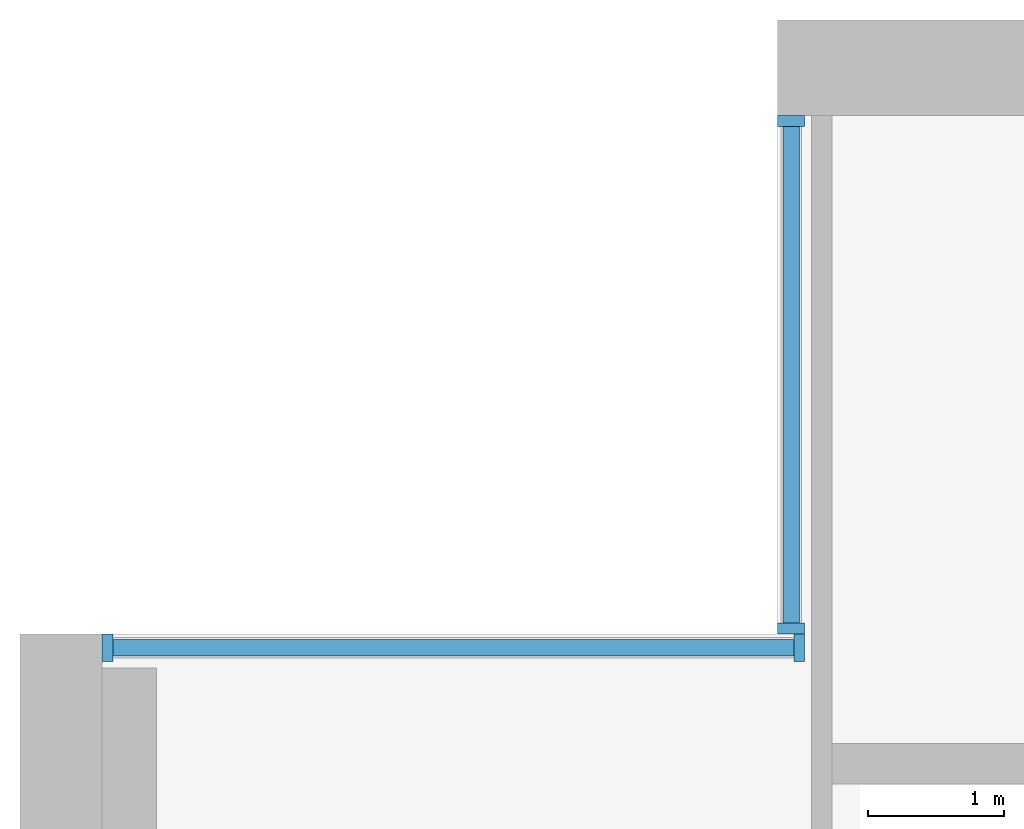
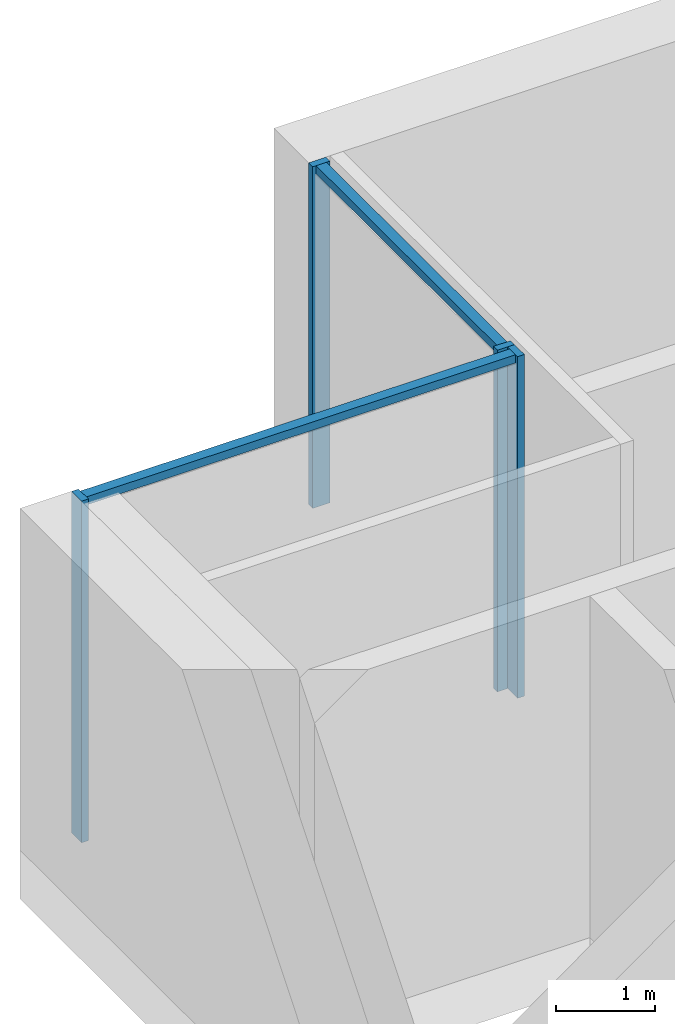
# One storey, part 4 of 13: 6 members, 2 elements without a shape of their own.
"""IFC4 building model written with IfcOpenShell, lengths in metres."""

from ifc_helpers import new_model, si_unit, direction, frame, origin, origin_2d, place, context, subcontext, project, spatial, rectangle, extrude, material, material_profile, profile_set, type_object, element, aggregate, save


model = new_model("IFC4")

# Units and contexts
model_context = context("Model", 3, precision=1e-05, world=origin(), true_north=direction((0.0, 1.0)))
body_context = subcontext(model_context, "Body", "Model", "MODEL_VIEW")
ifc_project = project(units=[si_unit("LENGTHUNIT", "METRE"), si_unit("AREAUNIT", "SQUARE_METRE"), si_unit("VOLUMEUNIT", "CUBIC_METRE"), si_unit("PLANEANGLEUNIT", "RADIAN"), si_unit("MASSUNIT", "GRAM", prefix="KILO")], contexts=[model_context])

# Site, building, storey
site_placement = place(None, origin())
site = spatial("IfcSite", under=ifc_project, at=site_placement, CompositionType="ELEMENT")
building_placement = place(site_placement, origin())
building = spatial("IfcBuilding", under=site, at=building_placement, Name="Calvaro Tower", CompositionType="ELEMENT")
storey_placement = place(building_placement, frame((0.0, 0.0, 226.75)))
storey = spatial("IfcBuildingStorey", under=building, at=storey_placement, Name="L57", CompositionType="ELEMENT", Elevation=226.75)

# Curtain wall, members
ifc_material_1 = material(Name="Anodised aluminium", Category="aluminium")
curtain_wall_type = type_object("IfcCurtainWallType", Name="Louvre wall", PredefinedType="NOTDEFINED", material=ifc_material_1)
curtain_wall_1_placement = place(storey_placement, origin())
curtain_wall_1 = element("IfcCurtainWall", 1, at=curtain_wall_1_placement, inside=storey, type_object=curtain_wall_type, Name="CW8 corner curtain wall", PredefinedType="NOTDEFINED")
ifc_material_2 = material(Name="Anodised aluminium", Category="aluminium")
ifc_material_profile_1 = material_profile(ifc_material_2, rectangle(XDim=0.199951171875, YDim=0.080078125, at=origin_2d()), Name="Mullion LV 80 x 200")
ifc_profile_set_1 = profile_set([ifc_material_profile_1], Name="Anodised aluminium")
member_type_1 = type_object("IfcMemberType", Name="Mullion LV 80 x 200", PredefinedType="MULLION", material=ifc_profile_set_1)
member_1_placement = place(storey_placement, frame((11.64990234375, 41.5400390625, 0.0), z_axis=(0.0, 0.0, 1.0), x_axis=(-1.0, 0.0, 0.0)))
member_1 = element("IfcMember", 2, at=member_1_placement, type_object=member_type_1, Name="CW8 mullion 1", PredefinedType="MULLION", context=body_context, shape_type="SweptSolid", body=[
    extrude(rectangle(XDim=0.199951171875, YDim=0.080078125, at=origin_2d()), origin(), (0.0, 0.0, 1.0), 4.199951171875),
])
member_2_placement = place(storey_placement, frame((11.64990234375, 45.260009765625, 0.0), z_axis=(0.0, 0.0, 1.0), x_axis=(-1.0, 0.0, 0.0)))
member_2 = element("IfcMember", 3, at=member_2_placement, type_object=member_type_1, Name="CW8 mullion 2", PredefinedType="MULLION", context=body_context, shape_type="SweptSolid", body=[
    extrude(rectangle(XDim=0.199951171875, YDim=0.080078125, at=origin_2d()), origin(), (0.0, 0.0, 1.0), 4.199951171875),
])

curtain_wall_2_placement = place(storey_placement, origin())
curtain_wall_2 = element("IfcCurtainWall", 4, at=curtain_wall_2_placement, inside=storey, type_object=curtain_wall_type, Name="CW8 corner curtain wall", PredefinedType="NOTDEFINED")
member_3_placement = place(storey_placement, frame((6.639892578125, 41.39990234375, 0.0), z_axis=(0.0, 0.0, 1.0), x_axis=(0.0, 1.0, 0.0)))
member_3 = element("IfcMember", 5, at=member_3_placement, type_object=member_type_1, Name="CW8 mullion 1", PredefinedType="MULLION", context=body_context, shape_type="SweptSolid", body=[
    extrude(rectangle(XDim=0.199951171875, YDim=0.080078125, at=origin_2d()), origin(), (0.0, 0.0, 1.0), 4.199951171875),
])
member_4_placement = place(storey_placement, frame((11.7099609375, 41.39990234375, 0.0), z_axis=(0.0, 0.0, 1.0), x_axis=(0.0, 1.0, 0.0)))
member_4 = element("IfcMember", 6, at=member_4_placement, type_object=member_type_1, Name="CW8 mullion 2", PredefinedType="MULLION", context=body_context, shape_type="SweptSolid", body=[
    extrude(rectangle(XDim=0.199951171875, YDim=0.080078125, at=origin_2d()), origin(), (0.0, 0.0, 1.0), 4.199951171875),
])

# Member
ifc_material_3 = material(Name="Anodised aluminium", Category="aluminium")
ifc_material_profile_2 = material_profile(ifc_material_3, rectangle(XDim=0.1201171875, YDim=0.10009765625, at=origin_2d()), Name="Transom LV 100 x 120")
ifc_profile_set_2 = profile_set([ifc_material_profile_2], Name="Anodised aluminium")
member_type_2 = type_object("IfcMemberType", Name="Transom LV 100 x 120", PredefinedType="USERDEFINED", material=ifc_profile_set_2)
member_5_placement = place(storey_placement, frame((11.64990234375, 41.580078125, 4.14990234375), z_axis=(0.0, 1.0, 0.0), x_axis=(-1.0, 0.0, 0.0)))
member_5 = element("IfcMember", 7, at=member_5_placement, type_object=member_type_2, Name="CW8 transom 1.1", ObjectType="TRANSOM", PredefinedType="USERDEFINED", context=body_context, shape_type="SweptSolid", body=[
    extrude(rectangle(XDim=0.1201171875, YDim=0.10009765625, at=origin_2d()), origin(), (0.0, 0.0, 1.0), 3.639892578125),
])

aggregate(curtain_wall_1, [member_1, member_2, member_5])

member_6_placement = place(storey_placement, frame((6.679931640625, 41.39990234375, 4.14990234375), z_axis=(1.0, 0.0, 0.0), x_axis=(0.0, 1.0, 0.0)))
member_6 = element("IfcMember", 8, at=member_6_placement, type_object=member_type_2, Name="CW8 transom 1.1", ObjectType="TRANSOM", PredefinedType="USERDEFINED", context=body_context, shape_type="SweptSolid", body=[
    extrude(rectangle(XDim=0.1201171875, YDim=0.10009765625, at=origin_2d()), origin(), (0.0, 0.0, 1.0), 4.989990234375),
])

aggregate(curtain_wall_2, [member_3, member_4, member_6])

save(model, "model.ifc")
